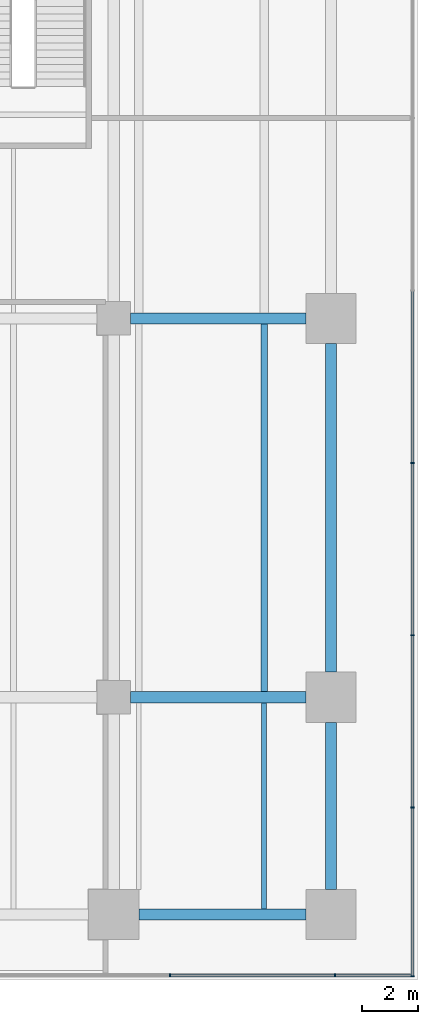
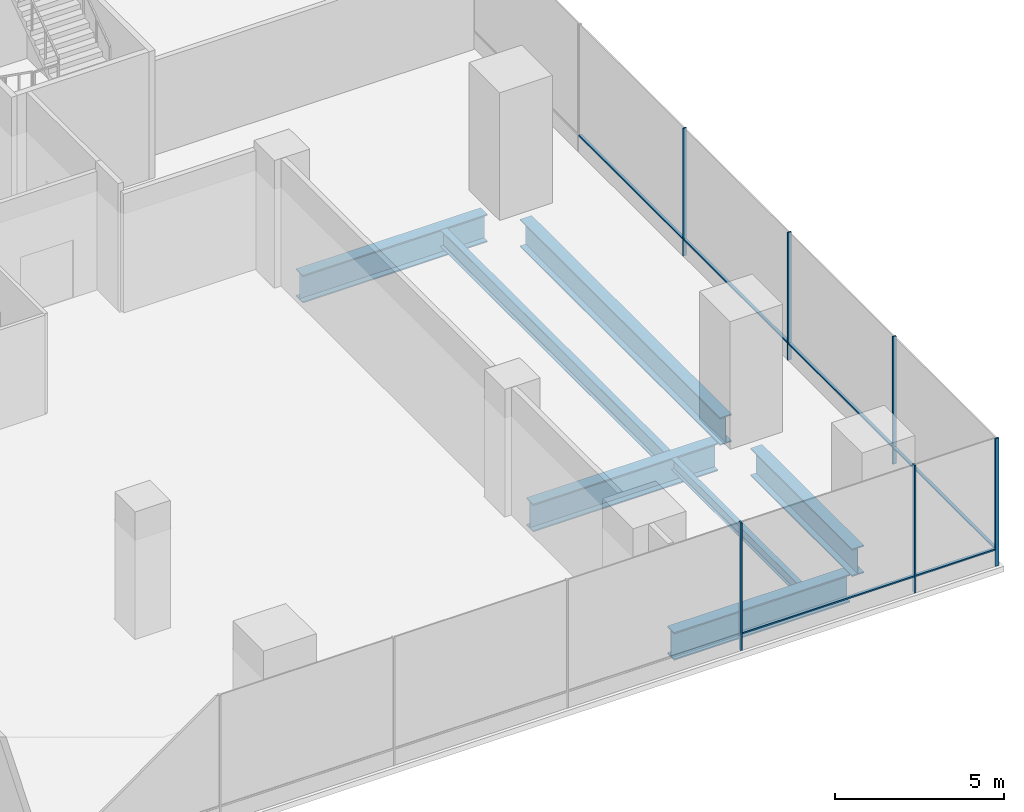
# One storey, part 15 of 28: 12 members, 7 beams, 2 elements without a shape of their own.
"""IFC4 building model written with IfcOpenShell, lengths in metres."""

from ifc_helpers import new_model, si_unit, direction, frame, origin, origin_2d, place, context, subcontext, project, spatial, rectangle, i_section, extrude, material, layer, layer_set, material_profile, profile_set, type_object, element, aggregate, save


model = new_model("IFC4")

# Units and contexts
model_context = context("Model", 3, precision=1e-05, world=origin(), true_north=direction((0.0, 1.0)))
body_context = subcontext(model_context, "Body", "Model", "MODEL_VIEW")
ifc_project = project(units=[si_unit("LENGTHUNIT", "METRE"), si_unit("AREAUNIT", "SQUARE_METRE"), si_unit("VOLUMEUNIT", "CUBIC_METRE"), si_unit("PLANEANGLEUNIT", "RADIAN"), si_unit("MASSUNIT", "GRAM", prefix="KILO")], contexts=[model_context])

# Site, building, storey
site_placement = place(None, origin())
site = spatial("IfcSite", under=ifc_project, at=site_placement, CompositionType="ELEMENT")
building_placement = place(site_placement, origin())
building = spatial("IfcBuilding", under=site, at=building_placement, Name="Rattan Terrace Tower", CompositionType="ELEMENT")
storey_placement = place(building_placement, frame((0.0, 0.0, 17.39990234375)))
storey = spatial("IfcBuildingStorey", under=building, at=storey_placement, Name="L03", CompositionType="ELEMENT", Elevation=17.39990234375)

# Beams
ifc_material_1 = material(Name="Steel S355", Category="steel")
ifc_material_profile_1 = material_profile(ifc_material_1, i_section(OverallWidth=0.179931640625, OverallDepth=0.39990234375, WebThickness=0.008544921875, FlangeThickness=0.013427734375, FilletRadius=0.02099609375, at=origin_2d()), Name="IPE 400")
ifc_profile_set_1 = profile_set([ifc_material_profile_1], Name="Steel S355")
beam_type_1 = type_object("IfcBeamType", Name="Frame floor beam IPE 400", PredefinedType="JOIST", material=ifc_profile_set_1)
beam_1_placement = place(storey_placement, frame((31.5, -34.699951171875, -0.39990234375), z_axis=(0.0, 1.0, 0.0), x_axis=(-1.0, 0.0, 0.0)))
element("IfcBeam", 1, at=beam_1_placement, inside=storey, type_object=beam_type_1, Name="bm-L03-012", PredefinedType="JOIST", context=body_context, shape_type="SweptSolid", body=[
    extrude(i_section(OverallWidth=0.179931640625, OverallDepth=0.39990234375, WebThickness=0.008544921875, FlangeThickness=0.013427734375, FilletRadius=0.02099609375, at=origin_2d()), origin(), (0.0, 0.0, 1.0), 7.39990234375),
])
ifc_material_2 = material(Name="Steel S355", Category="steel")
ifc_material_profile_2 = material_profile(ifc_material_2, i_section(OverallWidth=0.22412109375, OverallDepth=0.610107421875, WebThickness=0.014892578125, FlangeThickness=0.02392578125, FilletRadius=0.02392578125, at=origin_2d()), Name="IPE O 600")
ifc_profile_set_2 = profile_set([ifc_material_profile_2], Name="Steel S355")
beam_type_2 = type_object("IfcBeamType", Name="Frame floor beam IPE O 600", PredefinedType="JOIST", material=ifc_profile_set_2)
beam_2_placement = place(storey_placement, frame((31.5, -26.89990234375, -0.5048828125), z_axis=(0.0, 1.0, 0.0), x_axis=(-1.0, 0.0, 0.0)))
element("IfcBeam", 2, at=beam_2_placement, inside=storey, type_object=beam_type_2, Name="bm-L03-026", PredefinedType="JOIST", context=body_context, shape_type="SweptSolid", body=[
    extrude(i_section(OverallWidth=0.22412109375, OverallDepth=0.610107421875, WebThickness=0.014892578125, FlangeThickness=0.02392578125, FilletRadius=0.02392578125, at=origin_2d()), origin(), (0.0, 0.0, 1.0), 13.199951171875),
])
ifc_material_3 = material(Name="Steel S460", Category="steel")
ifc_material_profile_3 = material_profile(ifc_material_3, i_section(OverallWidth=0.39990234375, OverallDepth=1.0, WebThickness=0.01806640625, FlangeThickness=0.044921875, at=origin_2d()), Name="PG 1000x400-18-45")
ifc_profile_set_3 = profile_set([ifc_material_profile_3], Name="Steel S460")
beam_type_3 = type_object("IfcBeamType", Name="Frame podium girder PG 1000x400-18-45", PredefinedType="USERDEFINED", material=ifc_profile_set_3)
for number, where, z_axis, x_axis, name in (
    (3, (27.0, -34.89990234375, -0.699951171875), (1.0, 0.0, 0.0), (0.0, 1.0, 0.0), "gdr-L03-006"),
    (4, (33.89990234375, -34.0, -0.699951171875), (0.0, 1.0, 0.0), (-1.0, 0.0, 0.0), "gdr-L03-013"),
):
    element("IfcBeam", number, at=place(storey_placement, frame(where, z_axis=z_axis, x_axis=x_axis)), inside=storey, type_object=beam_type_3, Name=name, ObjectType="PODIUM GIRDER", PredefinedType="USERDEFINED", context=body_context, shape_type="SweptSolid", body=[
        extrude(i_section(OverallWidth=0.39990234375, OverallDepth=1.0, WebThickness=0.01806640625, FlangeThickness=0.044921875, at=origin_2d()), origin(), (0.0, 0.0, 1.0), 6.0),
    ])
beam_3_placement = place(storey_placement, frame((26.699951171875, -27.10009765625, -0.699951171875), z_axis=(1.0, 0.0, 0.0), x_axis=(0.0, 1.0, 0.0)))
element("IfcBeam", 5, at=beam_3_placement, inside=storey, type_object=beam_type_3, Name="gdr-L03-019", ObjectType="PODIUM GIRDER", PredefinedType="USERDEFINED", context=body_context, shape_type="SweptSolid", body=[
    extrude(i_section(OverallWidth=0.39990234375, OverallDepth=1.0, WebThickness=0.01806640625, FlangeThickness=0.044921875, at=origin_2d()), origin(), (0.0, 0.0, 1.0), 6.300048828125),
])
beam_4_placement = place(storey_placement, frame((33.89990234375, -26.199951171875, -0.699951171875), z_axis=(0.0, 1.0, 0.0), x_axis=(-1.0, 0.0, 0.0)))
element("IfcBeam", 6, at=beam_4_placement, inside=storey, type_object=beam_type_3, Name="gdr-L03-026", ObjectType="PODIUM GIRDER", PredefinedType="USERDEFINED", context=body_context, shape_type="SweptSolid", body=[
    extrude(i_section(OverallWidth=0.39990234375, OverallDepth=1.0, WebThickness=0.01806640625, FlangeThickness=0.044921875, at=origin_2d()), origin(), (0.0, 0.0, 1.0), 11.800048828125),
])
beam_5_placement = place(storey_placement, frame((26.699951171875, -13.5, -0.699951171875), z_axis=(1.0, 0.0, 0.0), x_axis=(0.0, 1.0, 0.0)))
element("IfcBeam", 7, at=beam_5_placement, inside=storey, type_object=beam_type_3, Name="gdr-L03-032", ObjectType="PODIUM GIRDER", PredefinedType="USERDEFINED", context=body_context, shape_type="SweptSolid", body=[
    extrude(i_section(OverallWidth=0.39990234375, OverallDepth=1.0, WebThickness=0.01806640625, FlangeThickness=0.044921875, at=origin_2d()), origin(), (0.0, 0.0, 1.0), 6.300048828125),
])

# Curtain wall, members
ifc_material_4 = material(Name="Aluminium and glass", Category="aluminium")
ifc_layer = layer(ifc_material_4, 0.1201171875)
ifc_layer_set = layer_set([ifc_layer], Name="Station Storefront Curtain Wall")
curtain_wall_type = type_object("IfcCurtainWallType", Name="Station Storefront Curtain Wall", PredefinedType="NOTDEFINED", material=ifc_layer_set)
curtain_wall_1_placement = place(storey_placement, origin())
curtain_wall_1 = element("IfcCurtainWall", 8, at=curtain_wall_1_placement, inside=storey, type_object=curtain_wall_type, Name="Storefront curtain wall L03-1", PredefinedType="NOTDEFINED")
ifc_material_5 = material(Name="Aluminium", Category="aluminium")
ifc_material_profile_4 = material_profile(ifc_material_5, rectangle(XDim=0.050048828125, YDim=0.1201171875, at=origin_2d()), Name="Aluminium 50x120")
ifc_profile_set_4 = profile_set([ifc_material_profile_4], Name="Aluminium")
member_type_1 = type_object("IfcMemberType", Name="Storefront CW Mullion 50x120", PredefinedType="MULLION", material=ifc_profile_set_4)
member_1_placement = place(storey_placement, frame((36.830078125, -37.114990234375, 0.0), z_axis=(0.0, 0.0, 1.0), x_axis=(0.0, 1.0, 0.0)))
member_1 = element("IfcMember", 9, at=member_1_placement, type_object=member_type_1, Name="Mullion cwl-L03-001.1", PredefinedType="MULLION", context=body_context, shape_type="SweptSolid", body=[
    extrude(rectangle(XDim=0.050048828125, YDim=0.1201171875, at=origin_2d()), origin(), (0.0, 0.0, 1.0), 4.60009765625),
])
member_2_placement = place(storey_placement, frame((36.830078125, -31.06201171875, 0.0), z_axis=(0.0, 0.0, 1.0), x_axis=(0.0, 1.0, 0.0)))
member_2 = element("IfcMember", 10, at=member_2_placement, type_object=member_type_1, Name="Mullion cwl-L03-001.2", PredefinedType="MULLION", context=body_context, shape_type="SweptSolid", body=[
    extrude(rectangle(XDim=0.050048828125, YDim=0.1201171875, at=origin_2d()), origin(), (0.0, 0.0, 1.0), 4.60009765625),
])
member_3_placement = place(storey_placement, frame((36.830078125, -24.8740234375, 0.0), z_axis=(0.0, 0.0, 1.0), x_axis=(0.0, 1.0, 0.0)))
member_3 = element("IfcMember", 11, at=member_3_placement, type_object=member_type_1, Name="Mullion cwl-L03-001.3", PredefinedType="MULLION", context=body_context, shape_type="SweptSolid", body=[
    extrude(rectangle(XDim=0.050048828125, YDim=0.1201171875, at=origin_2d()), origin(), (0.0, 0.0, 1.0), 4.60009765625),
])
member_4_placement = place(storey_placement, frame((36.830078125, -18.68603515625, 0.0), z_axis=(0.0, 0.0, 1.0), x_axis=(0.0, 1.0, 0.0)))
member_4 = element("IfcMember", 12, at=member_4_placement, type_object=member_type_1, Name="Mullion cwl-L03-001.4", PredefinedType="MULLION", context=body_context, shape_type="SweptSolid", body=[
    extrude(rectangle(XDim=0.050048828125, YDim=0.1201171875, at=origin_2d()), origin(), (0.0, 0.0, 1.0), 4.60009765625),
])

curtain_wall_2_placement = place(storey_placement, origin())
curtain_wall_2 = element("IfcCurtainWall", 13, at=curtain_wall_2_placement, inside=storey, type_object=curtain_wall_type, Name="Storefront curtain wall L03-4", PredefinedType="NOTDEFINED")
member_5_placement = place(storey_placement, frame((28.1201171875, -37.080078125, 0.0), z_axis=(0.0, 0.0, 1.0), x_axis=(1.0, 0.0, 0.0)))
member_5 = element("IfcMember", 14, at=member_5_placement, type_object=member_type_1, Name="Mullion cwl-L03-004.12", PredefinedType="MULLION", context=body_context, shape_type="SweptSolid", body=[
    extrude(rectangle(XDim=0.050048828125, YDim=0.1201171875, at=origin_2d()), origin(), (0.0, 0.0, 1.0), 4.60009765625),
])
member_6_placement = place(storey_placement, frame((34.0400390625, -37.080078125, 0.0), z_axis=(0.0, 0.0, 1.0), x_axis=(1.0, 0.0, 0.0)))
member_6 = element("IfcMember", 15, at=member_6_placement, type_object=member_type_1, Name="Mullion cwl-L03-004.13", PredefinedType="MULLION", context=body_context, shape_type="SweptSolid", body=[
    extrude(rectangle(XDim=0.050048828125, YDim=0.1201171875, at=origin_2d()), origin(), (0.0, 0.0, 1.0), 4.60009765625),
])

# Member
ifc_material_6 = material(Name="Aluminium", Category="aluminium")
ifc_material_profile_5 = material_profile(ifc_material_6, rectangle(XDim=0.10009765625, YDim=0.050048828125, at=origin_2d()), Name="Aluminium 100x50")
ifc_profile_set_5 = profile_set([ifc_material_profile_5], Name="Aluminium")
member_type_2 = type_object("IfcMemberType", Name="Storefront CW Transom 100x50", PredefinedType="USERDEFINED", material=ifc_profile_set_5)
member_7_placement = place(storey_placement, frame((36.830078125, -37.090087890625, 0.60009765625), z_axis=(0.0, 1.0, 0.0), x_axis=(-1.0, 0.0, 0.0)))
member_7 = element("IfcMember", 16, at=member_7_placement, type_object=member_type_2, Name="Transom cwl-L03-001.1", ObjectType="TRANSOM", PredefinedType="USERDEFINED", context=body_context, shape_type="SweptSolid", body=[
    extrude(rectangle(XDim=0.10009765625, YDim=0.050048828125, at=origin_2d()), origin(), (0.0, 0.0, 1.0), 6.003173828125),
])

member_8_placement = place(storey_placement, frame((36.830078125, -31.037109375, 0.60009765625), z_axis=(0.0, 1.0, 0.0), x_axis=(-1.0, 0.0, 0.0)))
member_8 = element("IfcMember", 17, at=member_8_placement, type_object=member_type_2, Name="Transom cwl-L03-001.2", ObjectType="TRANSOM", PredefinedType="USERDEFINED", context=body_context, shape_type="SweptSolid", body=[
    extrude(rectangle(XDim=0.10009765625, YDim=0.050048828125, at=origin_2d()), origin(), (0.0, 0.0, 1.0), 6.13818359375),
])

member_9_placement = place(storey_placement, frame((36.830078125, -24.84912109375, 0.60009765625), z_axis=(0.0, 1.0, 0.0), x_axis=(-1.0, 0.0, 0.0)))
member_9 = element("IfcMember", 18, at=member_9_placement, type_object=member_type_2, Name="Transom cwl-L03-001.3", ObjectType="TRANSOM", PredefinedType="USERDEFINED", context=body_context, shape_type="SweptSolid", body=[
    extrude(rectangle(XDim=0.10009765625, YDim=0.050048828125, at=origin_2d()), origin(), (0.0, 0.0, 1.0), 6.13818359375),
])

member_10_placement = place(storey_placement, frame((36.830078125, -18.660888671875, 0.60009765625), z_axis=(0.0, 1.0, 0.0), x_axis=(-1.0, 0.0, 0.0)))
member_10 = element("IfcMember", 19, at=member_10_placement, type_object=member_type_2, Name="Transom cwl-L03-001.4", ObjectType="TRANSOM", PredefinedType="USERDEFINED", context=body_context, shape_type="SweptSolid", body=[
    extrude(rectangle(XDim=0.10009765625, YDim=0.050048828125, at=origin_2d()), origin(), (0.0, 0.0, 1.0), 6.137939453125),
])

aggregate(curtain_wall_1, [member_1, member_2, member_3, member_4, member_7, member_8, member_9, member_10])

member_11_placement = place(storey_placement, frame((28.14501953125, -37.080078125, 0.60009765625), z_axis=(1.0, 0.0, 0.0), x_axis=(0.0, 1.0, 0.0)))
member_11 = element("IfcMember", 20, at=member_11_placement, type_object=member_type_2, Name="Transom cwl-L03-004.12", ObjectType="TRANSOM", PredefinedType="USERDEFINED", context=body_context, shape_type="SweptSolid", body=[
    extrude(rectangle(XDim=0.10009765625, YDim=0.050048828125, at=origin_2d()), origin(), (0.0, 0.0, 1.0), 5.869873046875),
])

member_12_placement = place(storey_placement, frame((34.06494140625, -37.080078125, 0.60009765625), z_axis=(1.0, 0.0, 0.0), x_axis=(0.0, 1.0, 0.0)))
member_12 = element("IfcMember", 21, at=member_12_placement, type_object=member_type_2, Name="Transom cwl-L03-004.13", ObjectType="TRANSOM", PredefinedType="USERDEFINED", context=body_context, shape_type="SweptSolid", body=[
    extrude(rectangle(XDim=0.10009765625, YDim=0.050048828125, at=origin_2d()), origin(), (0.0, 0.0, 1.0), 2.705078125),
])

aggregate(curtain_wall_2, [member_5, member_6, member_11, member_12])

save(model, "model.ifc")
